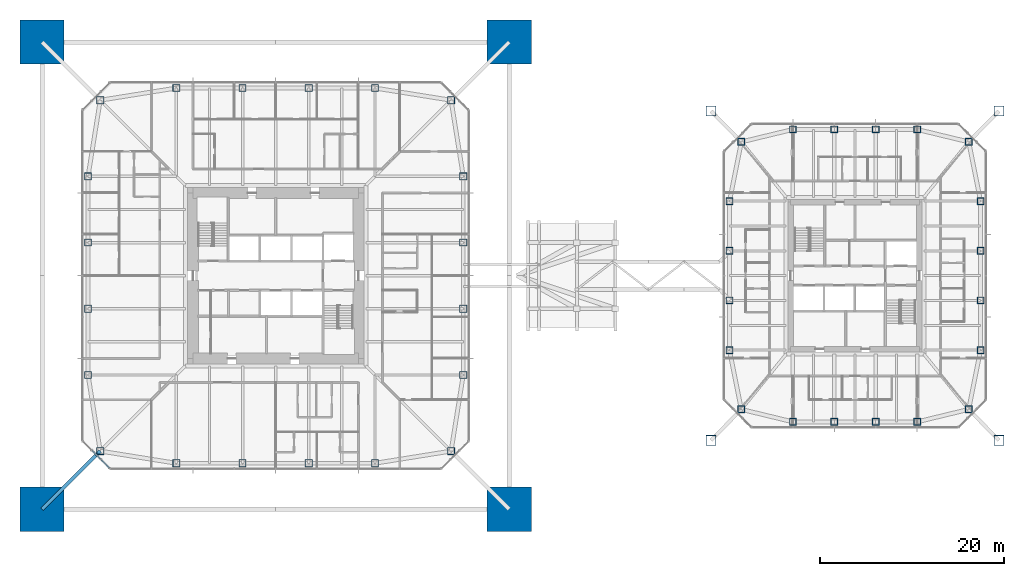
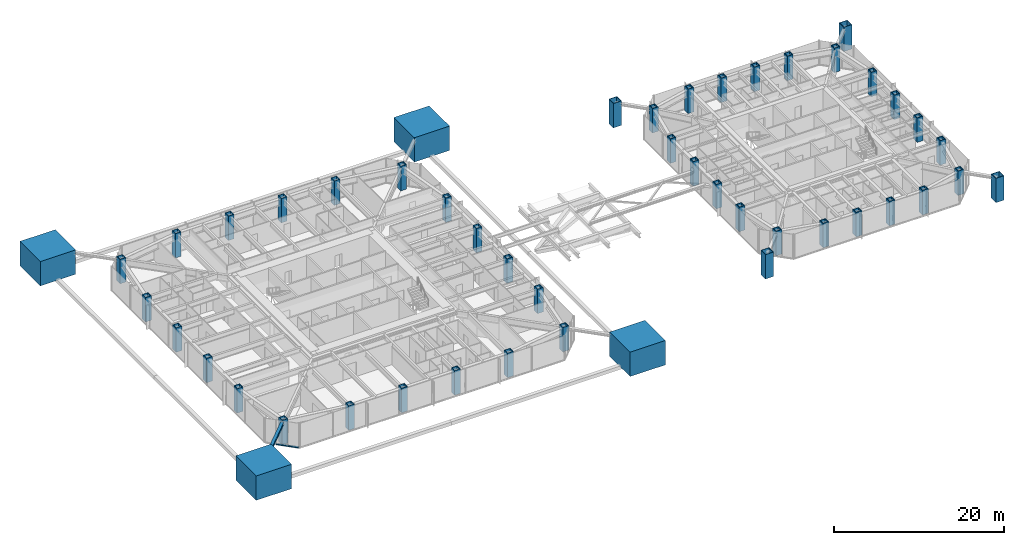
# One storey, part 1 of 26: 48 columns, 3 members, 1 element without a shape of its own.
"""IFC4 building model written with IfcOpenShell, lengths in metres."""

from ifc_helpers import new_model, si_unit, direction, frame, origin, origin_2d, place, context, subcontext, project, spatial, rectangle, hollow_rectangle, i_section, extrude, material, material_profile, profile_set, type_object, element, aggregate, save


model = new_model("IFC4")

# Units and contexts
model_context = context("Model", 3, precision=1e-05, world=origin(), true_north=direction((0.0, 1.0)))
body_context = subcontext(model_context, "Body", "Model", "MODEL_VIEW")
ifc_project = project(units=[si_unit("LENGTHUNIT", "METRE"), si_unit("AREAUNIT", "SQUARE_METRE"), si_unit("VOLUMEUNIT", "CUBIC_METRE"), si_unit("PLANEANGLEUNIT", "RADIAN"), si_unit("MASSUNIT", "GRAM", prefix="KILO")], contexts=[model_context])

# Site, building, storey
site_placement = place(None, origin())
site = spatial("IfcSite", under=ifc_project, at=site_placement, CompositionType="ELEMENT")
building_placement = place(site_placement, origin())
building = spatial("IfcBuilding", under=site, at=building_placement, Name="Iwan Alto Co-Living Towers", CompositionType="ELEMENT")
storey_placement = place(building_placement, frame((0.0, 0.0, 126.0)))
storey = spatial("IfcBuildingStorey", under=building, at=storey_placement, Name="L34", CompositionType="ELEMENT", Elevation=126.0)

# Columns
ifc_material_1 = material(Name="Concrete f'c 70 MPa", Category="concrete")
ifc_material_profile_1 = material_profile(ifc_material_1, rectangle(XDim=4.800048828125, YDim=4.800048828125, at=origin_2d()), Name="RC 4800X4800")
ifc_profile_set_1 = profile_set([ifc_material_profile_1], Name="Concrete f'c 70 MPa")
column_type_1 = type_object("IfcColumnType", Name="T1 MEGA COLUMN RC 4800X4800", PredefinedType="COLUMN", material=ifc_profile_set_1)
for number, where, z_axis, x_axis, name in (
    (1, (-25.39990234375, -25.39990234375, 0.0), (0.0, 0.0, 1.0), (1.0, 0.0, 0.0), "T1 mega column SW L34"),
    (2, (25.39990234375, -25.39990234375, 0.0), (0.0, 0.0, 1.0), (1.0, 0.0, 0.0), "T1 mega column SE L34"),
    (3, (25.39990234375, 25.39990234375, 0.0), (0.0, 0.0, 1.0), (1.0, 0.0, 0.0), "T1 mega column NE L34"),
    (4, (-25.39990234375, 25.39990234375, 0.0), (0.0, 0.0, 1.0), (1.0, 0.0, 0.0), "T1 mega column NW L34"),
):
    element("IfcColumn", number, at=place(storey_placement, frame(where, z_axis=z_axis, x_axis=x_axis)), inside=storey, type_object=column_type_1, Name=name, PredefinedType="COLUMN", context=body_context, shape_type="SweptSolid", body=[
        extrude(rectangle(XDim=4.800048828125, YDim=4.800048828125, at=origin_2d()), origin(), (0.0, 0.0, 1.0), 3.5),
        extrude(i_section(OverallWidth=0.4775390625, OverallDepth=0.599365234375, WebThickness=0.10009765625, FlangeThickness=0.139892578125, at=origin_2d()), origin(), (0.0, 0.0, 1.0), 3.5),
    ])
ifc_material_2 = material(Name="Steel ASTM A572 Gr 50", Category="steel")
ifc_material_profile_2 = material_profile(ifc_material_2, hollow_rectangle(XDim=0.800048828125, YDim=0.800048828125, WallThickness=0.070068359375, at=origin_2d()), Name="BOX 800X800X70")
ifc_profile_set_2 = profile_set([ifc_material_profile_2], Name="Steel ASTM A572 Gr 50")
column_type_2 = type_object("IfcColumnType", Name="T1 RING COLUMN BOX 800X800X70", PredefinedType="COLUMN", material=ifc_profile_set_2)
for number, where, z_axis, x_axis, name in (
    (5, (-19.07568359375, -19.07568359375, 0.0), (0.0, 0.0, 1.0), (1.0, 0.0, 0.0), "T1 ring column CSW L34"),
    (6, (-10.800048828125, -20.39990234375, 0.0), (0.0, 0.0, 1.0), (1.0, 0.0, 0.0), "T1 ring column S1 L34"),
    (7, (-3.60009765625, -20.39990234375, 0.0), (0.0, 0.0, 1.0), (1.0, 0.0, 0.0), "T1 ring column S2 L34"),
    (8, (3.60009765625, -20.39990234375, 0.0), (0.0, 0.0, 1.0), (1.0, 0.0, 0.0), "T1 ring column S3 L34"),
    (9, (10.800048828125, -20.39990234375, 0.0), (0.0, 0.0, 1.0), (1.0, 0.0, 0.0), "T1 ring column S4 L34"),
    (10, (19.07568359375, -19.07568359375, 0.0), (0.0, 0.0, 1.0), (1.0, 0.0, 0.0), "T1 ring column CSE L34"),
    (11, (20.39990234375, -10.800048828125, 0.0), (0.0, 0.0, 1.0), (1.0, 0.0, 0.0), "T1 ring column E1 L34"),
    (12, (20.39990234375, -3.60009765625, 0.0), (0.0, 0.0, 1.0), (1.0, 0.0, 0.0), "T1 ring column E2 L34"),
    (13, (20.39990234375, 3.60009765625, 0.0), (0.0, 0.0, 1.0), (1.0, 0.0, 0.0), "T1 ring column E3 L34"),
    (14, (20.39990234375, 10.800048828125, 0.0), (0.0, 0.0, 1.0), (1.0, 0.0, 0.0), "T1 ring column E4 L34"),
    (15, (19.07568359375, 19.07568359375, 0.0), (0.0, 0.0, 1.0), (1.0, 0.0, 0.0), "T1 ring column CNE L34"),
    (16, (10.800048828125, 20.39990234375, 0.0), (0.0, 0.0, 1.0), (1.0, 0.0, 0.0), "T1 ring column N1 L34"),
    (17, (3.60009765625, 20.39990234375, 0.0), (0.0, 0.0, 1.0), (1.0, 0.0, 0.0), "T1 ring column N2 L34"),
    (18, (-3.60009765625, 20.39990234375, 0.0), (0.0, 0.0, 1.0), (1.0, 0.0, 0.0), "T1 ring column N3 L34"),
    (19, (-10.800048828125, 20.39990234375, 0.0), (0.0, 0.0, 1.0), (1.0, 0.0, 0.0), "T1 ring column N4 L34"),
    (20, (-19.07568359375, 19.07568359375, 0.0), (0.0, 0.0, 1.0), (1.0, 0.0, 0.0), "T1 ring column CNW L34"),
    (21, (-20.39990234375, 10.800048828125, 0.0), (0.0, 0.0, 1.0), (1.0, 0.0, 0.0), "T1 ring column W1 L34"),
    (22, (-20.39990234375, 3.60009765625, 0.0), (0.0, 0.0, 1.0), (1.0, 0.0, 0.0), "T1 ring column W2 L34"),
    (23, (-20.39990234375, -3.60009765625, 0.0), (0.0, 0.0, 1.0), (1.0, 0.0, 0.0), "T1 ring column W3 L34"),
    (24, (-20.39990234375, -10.800048828125, 0.0), (0.0, 0.0, 1.0), (1.0, 0.0, 0.0), "T1 ring column W4 L34"),
):
    element("IfcColumn", number, at=place(storey_placement, frame(where, z_axis=z_axis, x_axis=x_axis)), inside=storey, type_object=column_type_2, Name=name, PredefinedType="COLUMN", context=body_context, shape_type="SweptSolid", body=[
        extrude(hollow_rectangle(XDim=0.800048828125, YDim=0.800048828125, WallThickness=0.070068359375, at=origin_2d()), origin(), (0.0, 0.0, 1.0), 3.5),
    ])
ifc_material_3 = material(Name="Steel ASTM A572 Gr 50", Category="steel")
ifc_material_profile_3 = material_profile(ifc_material_3, hollow_rectangle(XDim=1.10009765625, YDim=1.10009765625, WallThickness=0.06005859375, at=origin_2d()), Name="BOX 1100X1100X60")
ifc_profile_set_3 = profile_set([ifc_material_profile_3], Name="Steel ASTM A572 Gr 50")
column_type_3 = type_object("IfcColumnType", Name="T2 MEGA COLUMN BOX 1100X1100X60", PredefinedType="COLUMN", material=ifc_profile_set_3)
for number, where, z_axis, x_axis, name in (
    (25, (47.35009765625, -17.89990234375, 0.0), (0.0, 0.0, 1.0), (1.0, 0.0, 0.0), "T2 mega column SW L34"),
    (26, (78.64990234375, -17.89990234375, 0.0), (0.0, 0.0, 1.0), (1.0, 0.0, 0.0), "T2 mega column SE L34"),
    (27, (78.64990234375, 17.89990234375, 0.0), (0.0, 0.0, 1.0), (1.0, 0.0, 0.0), "T2 mega column NE L34"),
    (28, (47.35009765625, 17.89990234375, 0.0), (0.0, 0.0, 1.0), (1.0, 0.0, 0.0), "T2 mega column NW L34"),
):
    element("IfcColumn", number, at=place(storey_placement, frame(where, z_axis=z_axis, x_axis=x_axis)), inside=storey, type_object=column_type_3, Name=name, PredefinedType="COLUMN", context=body_context, shape_type="SweptSolid", body=[
        extrude(hollow_rectangle(XDim=1.10009765625, YDim=1.10009765625, WallThickness=0.06005859375, at=origin_2d()), origin(), (0.0, 0.0, 1.0), 3.5),
    ])
ifc_material_4 = material(Name="Steel ASTM A572 Gr 50", Category="steel")
ifc_material_profile_4 = material_profile(ifc_material_4, hollow_rectangle(XDim=0.800048828125, YDim=0.800048828125, WallThickness=0.10009765625, at=origin_2d()), Name="BOX 800X800X100")
ifc_profile_set_4 = profile_set([ifc_material_profile_4], Name="Steel ASTM A572 Gr 50")
column_type_4 = type_object("IfcColumnType", Name="T2 RING COLUMN BOX 800X800X100", PredefinedType="COLUMN", material=ifc_profile_set_4)
for number, where, z_axis, x_axis, name in (
    (29, (50.638671875, -14.542724609375, 0.0), (0.0, 0.0, 1.0), (1.0, 0.0, 0.0), "T2 ring column CSW L34"),
    (30, (56.25, -15.89990234375, 0.0), (0.0, 0.0, 1.0), (1.0, 0.0, 0.0), "T2 ring column S1 L34"),
    (31, (60.75, -15.89990234375, 0.0), (0.0, 0.0, 1.0), (1.0, 0.0, 0.0), "T2 ring column S2 L34"),
    (32, (65.25, -15.89990234375, 0.0), (0.0, 0.0, 1.0), (1.0, 0.0, 0.0), "T2 ring column S3 L34"),
    (33, (69.75, -15.89990234375, 0.0), (0.0, 0.0, 1.0), (1.0, 0.0, 0.0), "T2 ring column S4 L34"),
    (34, (75.361328125, -14.542724609375, 0.0), (0.0, 0.0, 1.0), (1.0, 0.0, 0.0), "T2 ring column CSE L34"),
    (35, (76.64990234375, -8.10009765625, 0.0), (0.0, 0.0, 1.0), (1.0, 0.0, 0.0), "T2 ring column E1 L34"),
    (36, (76.64990234375, -2.699951171875, 0.0), (0.0, 0.0, 1.0), (1.0, 0.0, 0.0), "T2 ring column E2 L34"),
    (37, (76.64990234375, 2.699951171875, 0.0), (0.0, 0.0, 1.0), (1.0, 0.0, 0.0), "T2 ring column E3 L34"),
    (38, (76.64990234375, 8.10009765625, 0.0), (0.0, 0.0, 1.0), (1.0, 0.0, 0.0), "T2 ring column E4 L34"),
    (39, (75.361328125, 14.542724609375, 0.0), (0.0, 0.0, 1.0), (1.0, 0.0, 0.0), "T2 ring column CNE L34"),
    (40, (69.75, 15.89990234375, 0.0), (0.0, 0.0, 1.0), (1.0, 0.0, 0.0), "T2 ring column N1 L34"),
    (41, (65.25, 15.89990234375, 0.0), (0.0, 0.0, 1.0), (1.0, 0.0, 0.0), "T2 ring column N2 L34"),
    (42, (60.75, 15.89990234375, 0.0), (0.0, 0.0, 1.0), (1.0, 0.0, 0.0), "T2 ring column N3 L34"),
    (43, (56.25, 15.89990234375, 0.0), (0.0, 0.0, 1.0), (1.0, 0.0, 0.0), "T2 ring column N4 L34"),
    (44, (50.638671875, 14.542724609375, 0.0), (0.0, 0.0, 1.0), (1.0, 0.0, 0.0), "T2 ring column CNW L34"),
    (45, (49.35009765625, 8.10009765625, 0.0), (0.0, 0.0, 1.0), (1.0, 0.0, 0.0), "T2 ring column W1 L34"),
    (46, (49.35009765625, 2.699951171875, 0.0), (0.0, 0.0, 1.0), (1.0, 0.0, 0.0), "T2 ring column W2 L34"),
    (47, (49.35009765625, -2.699951171875, 0.0), (0.0, 0.0, 1.0), (1.0, 0.0, 0.0), "T2 ring column W3 L34"),
    (48, (49.35009765625, -8.10009765625, 0.0), (0.0, 0.0, 1.0), (1.0, 0.0, 0.0), "T2 ring column W4 L34"),
):
    element("IfcColumn", number, at=place(storey_placement, frame(where, z_axis=z_axis, x_axis=x_axis)), inside=storey, type_object=column_type_4, Name=name, PredefinedType="COLUMN", context=body_context, shape_type="SweptSolid", body=[
        extrude(hollow_rectangle(XDim=0.800048828125, YDim=0.800048828125, WallThickness=0.10009765625, at=origin_2d()), origin(), (0.0, 0.0, 1.0), 3.5),
    ])

# Curtain wall, members
ifc_material_5 = material(Name="Bronze aluminium unitised frame", Category="aluminium")
curtain_wall_type = type_object("IfcCurtainWallType", Name="CURTAIN WALL CW-B", PredefinedType="NOTDEFINED", material=ifc_material_5)
curtain_wall_placement = place(storey_placement, origin())
curtain_wall = element("IfcCurtainWall", 49, at=curtain_wall_placement, inside=storey, type_object=curtain_wall_type, Name="T1 chamfer curtain wall SW L34", PredefinedType="NOTDEFINED")
ifc_material_6 = material(Name="Aluminium 6063-T6 bronze anodised", Category="aluminium")
ifc_material_profile_5 = material_profile(ifc_material_6, rectangle(XDim=0.199951171875, YDim=0.10009765625, at=origin_2d()), Name="AL 200X100")
ifc_profile_set_5 = profile_set([ifc_material_profile_5], Name="Aluminium 6063-T6 bronze anodised")
member_type_1 = type_object("IfcMemberType", Name="CW-B TRANSOM 200X100", PredefinedType="USERDEFINED", material=ifc_profile_set_5)
member_1_placement = place(storey_placement, frame((-19.9716796875, -19.0283203125, 0.050048828125), z_axis=(0.707106781187, -0.707106781187, 0.0), x_axis=(0.707106781187, 0.707106781187, 0.0)))
member_1 = element("IfcMember", 50, at=member_1_placement, type_object=member_type_1, Name="CW-B transom 2.1", ObjectType="TRANSOM", PredefinedType="USERDEFINED", context=body_context, shape_type="SweptSolid", body=[
    extrude(rectangle(XDim=0.199951171875, YDim=0.10009765625, at=origin_2d()), origin(), (0.0, 0.0, 1.0), 1.334228515625),
])
member_2_placement = place(storey_placement, frame((-18.9716796875, -20.0283203125, 0.050048828125), z_axis=(0.707106781187, -0.707106781187, 0.0), x_axis=(0.707106781187, 0.707106781187, 0.0)))
member_2 = element("IfcMember", 51, at=member_2_placement, type_object=member_type_1, Name="CW-B transom 3.1", ObjectType="TRANSOM", PredefinedType="USERDEFINED", context=body_context, shape_type="SweptSolid", body=[
    extrude(rectangle(XDim=0.199951171875, YDim=0.10009765625, at=origin_2d()), origin(), (0.0, 0.0, 1.0), 1.2939453125),
])
aggregate(curtain_wall, [member_1, member_2])

# Member
ifc_material_7 = material(Name="Steel ASTM A992 Gr 50", Category="steel")
ifc_material_profile_6 = material_profile(ifc_material_7, i_section(OverallWidth=0.393798828125, OverallDepth=0.3759765625, WebThickness=0.017333984375, FlangeThickness=0.027587890625, at=origin_2d()), Name="W14X145")
ifc_profile_set_6 = profile_set([ifc_material_profile_6], Name="Steel ASTM A992 Gr 50")
member_type_2 = type_object("IfcMemberType", Name="T1 MEGA COLUMN FLOOR TIE W14X145", PredefinedType="STRUT", material=ifc_profile_set_6)
member_3_placement = place(storey_placement, frame((-25.39990234375, -25.39990234375, 3.08203125), z_axis=(0.707106781187, 0.707106781187, 0.0), x_axis=(-0.707106781187, 0.707106781187, 0.0)))
element("IfcMember", 52, at=member_3_placement, inside=storey, type_object=member_type_2, Name="T1 mega column floor tie SW L35", PredefinedType="STRUT", context=body_context, shape_type="SweptSolid", body=[
    extrude(i_section(OverallWidth=0.393798828125, OverallDepth=0.3759765625, WebThickness=0.017333984375, FlangeThickness=0.027587890625, at=origin_2d()), origin(), (0.0, 0.0, 1.0), 8.94384765625),
])

save(model, "model.ifc")
